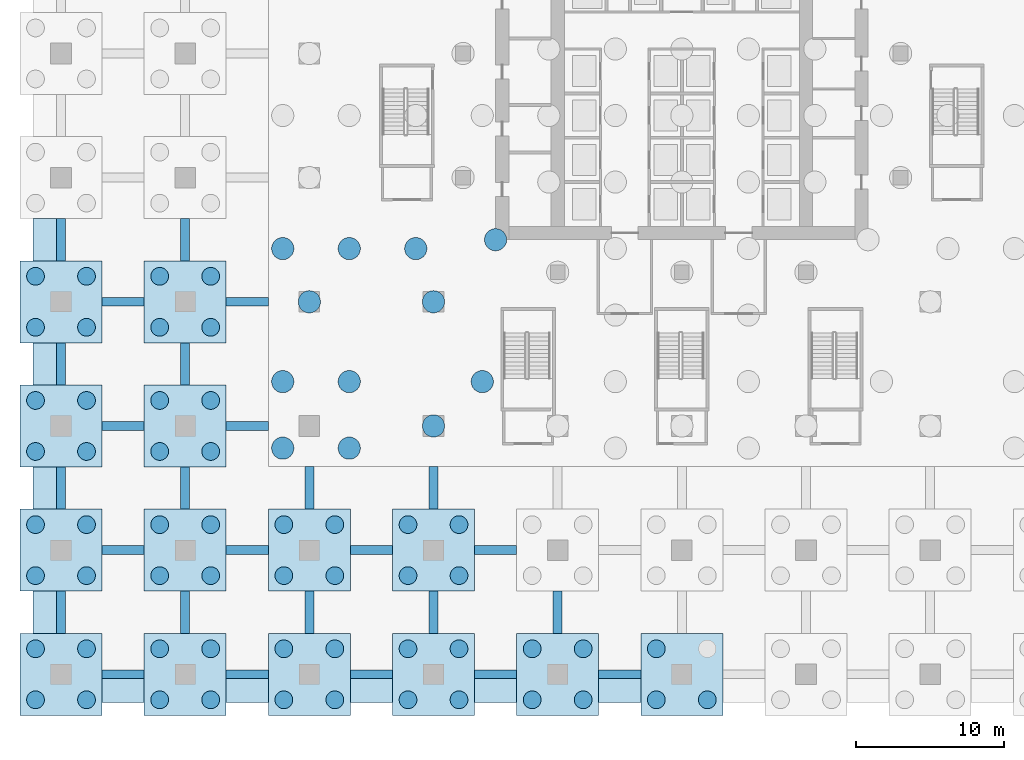
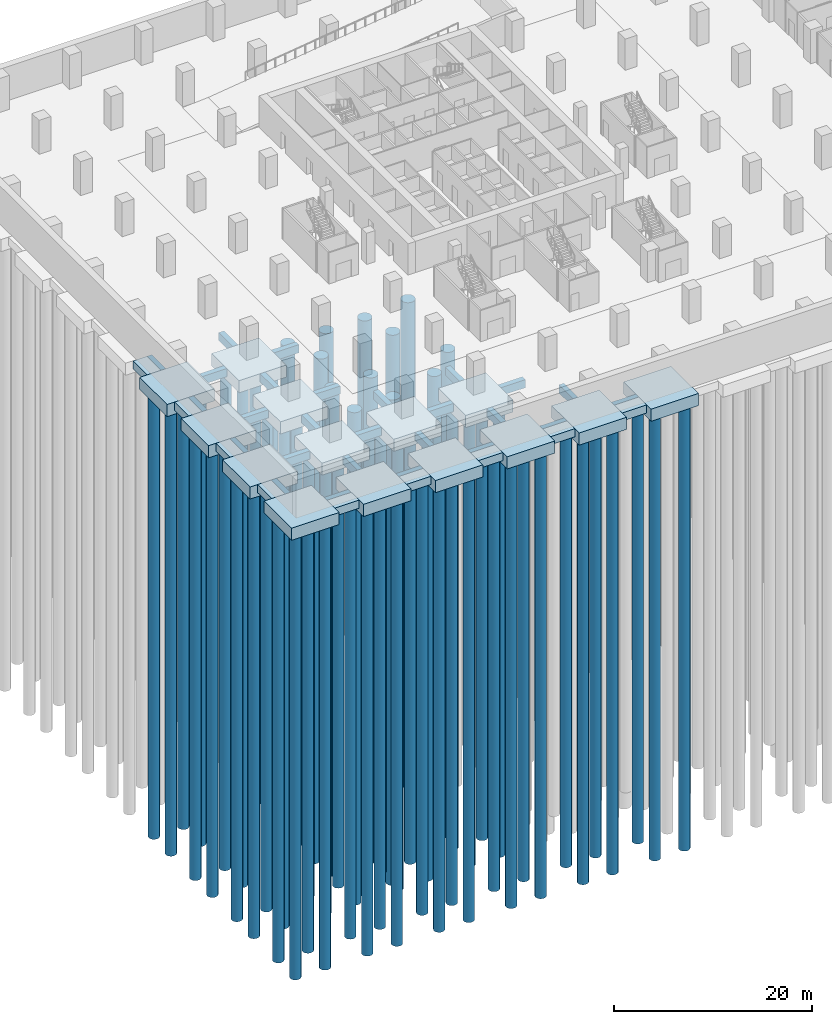
# One storey, part 1 of 22: 67 piles, 49 footings.
"""IFC4 building model written with IfcOpenShell, lengths in metres."""

from ifc_helpers import new_model, si_unit, direction, frame, origin, origin_2d, place, context, subcontext, project, spatial, polyline, circle, outline, extrude, material, layer, layer_set, type_object, element, save


model = new_model("IFC4")

# Units and contexts
model_context = context("Model", 3, precision=1e-05, world=origin(), true_north=direction((0.0, 1.0)))
body_context = subcontext(model_context, "Body", "Model", "MODEL_VIEW")
ifc_project = project(units=[si_unit("LENGTHUNIT", "METRE"), si_unit("AREAUNIT", "SQUARE_METRE"), si_unit("VOLUMEUNIT", "CUBIC_METRE"), si_unit("PLANEANGLEUNIT", "RADIAN"), si_unit("MASSUNIT", "GRAM", prefix="KILO")], contexts=[model_context])

# Site, building, storey
site_placement = place(None, origin())
site = spatial("IfcSite", under=ifc_project, at=site_placement, CompositionType="ELEMENT")
building_placement = place(site_placement, origin())
building = spatial("IfcBuilding", under=site, at=building_placement, Name="Vermilion Ogive Tower", CompositionType="ELEMENT")
storey_placement = place(building_placement, frame((0.0, 0.0, -8.39990234375)))
storey = spatial("IfcBuildingStorey", under=building, at=storey_placement, Name="B2", CompositionType="ELEMENT", Elevation=-8.39990234375)

# Piles
ifc_material_1 = material(Name="Concrete B45", Category="concrete")
pile_type_1 = type_object("IfcPileType", Name="Bored pile PC1 D1200", PredefinedType="BORED", material=ifc_material_1)
for number, where, z_axis, x_axis, name in (
    (1, (-43.72509765625, -39.52490234375, -1.900146484375), (0.0, 0.0, -1.0), (1.0, 0.0, 0.0), "Cap pile 000-1"),
    (2, (-40.27490234375, -39.52490234375, -1.900146484375), (0.0, 0.0, -1.0), (1.0, 0.0, 0.0), "Cap pile 000-2"),
    (3, (-43.72509765625, -36.074951171875, -1.900146484375), (0.0, 0.0, -1.0), (1.0, 0.0, 0.0), "Cap pile 000-3"),
    (4, (-40.27490234375, -36.074951171875, -1.900146484375), (0.0, 0.0, -1.0), (1.0, 0.0, 0.0), "Cap pile 000-4"),
    (5, (-43.72509765625, -31.125, -1.900146484375), (0.0, 0.0, -1.0), (1.0, 0.0, 0.0), "Cap pile 001-1"),
    (6, (-40.27490234375, -31.125, -1.900146484375), (0.0, 0.0, -1.0), (1.0, 0.0, 0.0), "Cap pile 001-2"),
    (7, (-43.72509765625, -27.675048828125, -1.900146484375), (0.0, 0.0, -1.0), (1.0, 0.0, 0.0), "Cap pile 001-3"),
    (8, (-40.27490234375, -27.675048828125, -1.900146484375), (0.0, 0.0, -1.0), (1.0, 0.0, 0.0), "Cap pile 001-4"),
    (9, (-43.72509765625, -22.72509765625, -1.900146484375), (0.0, 0.0, -1.0), (1.0, 0.0, 0.0), "Cap pile 002-1"),
    (10, (-40.27490234375, -22.72509765625, -1.900146484375), (0.0, 0.0, -1.0), (1.0, 0.0, 0.0), "Cap pile 002-2"),
    (11, (-43.72509765625, -19.27490234375, -1.900146484375), (0.0, 0.0, -1.0), (1.0, 0.0, 0.0), "Cap pile 002-3"),
    (12, (-40.27490234375, -19.27490234375, -1.900146484375), (0.0, 0.0, -1.0), (1.0, 0.0, 0.0), "Cap pile 002-4"),
    (13, (-43.72509765625, -14.324951171875, -1.900146484375), (0.0, 0.0, -1.0), (1.0, 0.0, 0.0), "Cap pile 003-1"),
    (14, (-40.27490234375, -14.324951171875, -1.900146484375), (0.0, 0.0, -1.0), (1.0, 0.0, 0.0), "Cap pile 003-2"),
    (15, (-43.72509765625, -10.875, -1.900146484375), (0.0, 0.0, -1.0), (1.0, 0.0, 0.0), "Cap pile 003-3"),
    (16, (-40.27490234375, -10.875, -1.900146484375), (0.0, 0.0, -1.0), (1.0, 0.0, 0.0), "Cap pile 003-4"),
    (17, (-35.324951171875, -39.52490234375, -1.900146484375), (0.0, 0.0, -1.0), (1.0, 0.0, 0.0), "Cap pile 010-1"),
    (18, (-31.875, -39.52490234375, -1.900146484375), (0.0, 0.0, -1.0), (1.0, 0.0, 0.0), "Cap pile 010-2"),
    (19, (-35.324951171875, -36.074951171875, -1.900146484375), (0.0, 0.0, -1.0), (1.0, 0.0, 0.0), "Cap pile 010-3"),
    (20, (-31.875, -36.074951171875, -1.900146484375), (0.0, 0.0, -1.0), (1.0, 0.0, 0.0), "Cap pile 010-4"),
    (21, (-35.324951171875, -31.125, -1.900146484375), (0.0, 0.0, -1.0), (1.0, 0.0, 0.0), "Cap pile 011-1"),
    (22, (-31.875, -31.125, -1.900146484375), (0.0, 0.0, -1.0), (1.0, 0.0, 0.0), "Cap pile 011-2"),
    (23, (-35.324951171875, -27.675048828125, -1.900146484375), (0.0, 0.0, -1.0), (1.0, 0.0, 0.0), "Cap pile 011-3"),
    (24, (-31.875, -27.675048828125, -1.900146484375), (0.0, 0.0, -1.0), (1.0, 0.0, 0.0), "Cap pile 011-4"),
    (25, (-35.324951171875, -22.72509765625, -1.900146484375), (0.0, 0.0, -1.0), (1.0, 0.0, 0.0), "Cap pile 012-1"),
    (26, (-31.875, -22.72509765625, -1.900146484375), (0.0, 0.0, -1.0), (1.0, 0.0, 0.0), "Cap pile 012-2"),
    (27, (-35.324951171875, -19.27490234375, -1.900146484375), (0.0, 0.0, -1.0), (1.0, 0.0, 0.0), "Cap pile 012-3"),
    (28, (-31.875, -19.27490234375, -1.900146484375), (0.0, 0.0, -1.0), (1.0, 0.0, 0.0), "Cap pile 012-4"),
    (29, (-35.324951171875, -14.324951171875, -1.900146484375), (0.0, 0.0, -1.0), (1.0, 0.0, 0.0), "Cap pile 013-1"),
    (30, (-31.875, -14.324951171875, -1.900146484375), (0.0, 0.0, -1.0), (1.0, 0.0, 0.0), "Cap pile 013-2"),
    (31, (-35.324951171875, -10.875, -1.900146484375), (0.0, 0.0, -1.0), (1.0, 0.0, 0.0), "Cap pile 013-3"),
    (32, (-31.875, -10.875, -1.900146484375), (0.0, 0.0, -1.0), (1.0, 0.0, 0.0), "Cap pile 013-4"),
    (33, (-26.925048828125, -39.52490234375, -1.900146484375), (0.0, 0.0, -1.0), (1.0, 0.0, 0.0), "Cap pile 020-1"),
    (34, (-23.47509765625, -39.52490234375, -1.900146484375), (0.0, 0.0, -1.0), (1.0, 0.0, 0.0), "Cap pile 020-2"),
    (35, (-26.925048828125, -36.074951171875, -1.900146484375), (0.0, 0.0, -1.0), (1.0, 0.0, 0.0), "Cap pile 020-3"),
    (36, (-23.47509765625, -36.074951171875, -1.900146484375), (0.0, 0.0, -1.0), (1.0, 0.0, 0.0), "Cap pile 020-4"),
    (37, (-26.925048828125, -31.125, -1.900146484375), (0.0, 0.0, -1.0), (1.0, 0.0, 0.0), "Cap pile 021-1"),
    (38, (-23.47509765625, -31.125, -1.900146484375), (0.0, 0.0, -1.0), (1.0, 0.0, 0.0), "Cap pile 021-2"),
    (39, (-26.925048828125, -27.675048828125, -1.900146484375), (0.0, 0.0, -1.0), (1.0, 0.0, 0.0), "Cap pile 021-3"),
    (40, (-23.47509765625, -27.675048828125, -1.900146484375), (0.0, 0.0, -1.0), (1.0, 0.0, 0.0), "Cap pile 021-4"),
    (41, (-18.52490234375, -39.52490234375, -1.900146484375), (0.0, 0.0, -1.0), (1.0, 0.0, 0.0), "Cap pile 024-1"),
    (42, (-15.074951171875, -39.52490234375, -1.900146484375), (0.0, 0.0, -1.0), (1.0, 0.0, 0.0), "Cap pile 024-2"),
    (43, (-18.52490234375, -36.074951171875, -1.900146484375), (0.0, 0.0, -1.0), (1.0, 0.0, 0.0), "Cap pile 024-3"),
    (44, (-15.074951171875, -36.074951171875, -1.900146484375), (0.0, 0.0, -1.0), (1.0, 0.0, 0.0), "Cap pile 024-4"),
    (45, (-18.52490234375, -31.125, -1.900146484375), (0.0, 0.0, -1.0), (1.0, 0.0, 0.0), "Cap pile 025-1"),
    (46, (-15.074951171875, -31.125, -1.900146484375), (0.0, 0.0, -1.0), (1.0, 0.0, 0.0), "Cap pile 025-2"),
    (47, (-18.52490234375, -27.675048828125, -1.900146484375), (0.0, 0.0, -1.0), (1.0, 0.0, 0.0), "Cap pile 025-3"),
    (48, (-15.074951171875, -27.675048828125, -1.900146484375), (0.0, 0.0, -1.0), (1.0, 0.0, 0.0), "Cap pile 025-4"),
    (49, (-10.125, -39.52490234375, -1.900146484375), (0.0, 0.0, -1.0), (1.0, 0.0, 0.0), "Cap pile 028-1"),
    (50, (-6.675048828125, -39.52490234375, -1.900146484375), (0.0, 0.0, -1.0), (1.0, 0.0, 0.0), "Cap pile 028-2"),
    (51, (-10.125, -36.074951171875, -1.900146484375), (0.0, 0.0, -1.0), (1.0, 0.0, 0.0), "Cap pile 028-3"),
    (52, (-6.675048828125, -36.074951171875, -1.900146484375), (0.0, 0.0, -1.0), (1.0, 0.0, 0.0), "Cap pile 028-4"),
    (53, (-1.72509765625, -39.52490234375, -1.900146484375), (0.0, 0.0, -1.0), (1.0, 0.0, 0.0), "Cap pile 032-1"),
    (54, (1.72509765625, -39.52490234375, -1.900146484375), (0.0, 0.0, -1.0), (1.0, 0.0, 0.0), "Cap pile 032-2"),
    (55, (-1.72509765625, -36.074951171875, -1.900146484375), (0.0, 0.0, -1.0), (1.0, 0.0, 0.0), "Cap pile 032-3"),
):
    element("IfcPile", number, at=place(storey_placement, frame(where, z_axis=z_axis, x_axis=x_axis)), inside=storey, type_object=pile_type_1, Name=name, PredefinedType="BORED", context=body_context, shape_type="SweptSolid", body=[
        extrude(circle(Radius=0.60009765625, at=origin_2d()), origin(), (0.0, 0.0, 1.0), 55.0),
    ])
ifc_material_2 = material(Name="Concrete B45", Category="concrete")
pile_type_2 = type_object("IfcPileType", Name="Bored pile PR1 D1500", PredefinedType="BORED", material=ifc_material_2)
for number, where, z_axis, x_axis, name in (
    (56, (-27.0, -22.5, -2.900146484375), (0.0, 0.0, -1.0), (1.0, 0.0, 0.0), "Raft pile 001"),
    (57, (-27.0, -18.0, -2.900146484375), (0.0, 0.0, -1.0), (1.0, 0.0, 0.0), "Raft pile 002"),
    (58, (-27.0, -9.0, -2.900146484375), (0.0, 0.0, -1.0), (1.0, 0.0, 0.0), "Raft pile 003"),
    (59, (-25.199951171875, -12.60009765625, -2.900146484375), (0.0, 0.0, -1.0), (1.0, 0.0, 0.0), "Raft pile 008"),
    (60, (-22.5, -22.5, -2.900146484375), (0.0, 0.0, -1.0), (1.0, 0.0, 0.0), "Raft pile 012"),
    (61, (-22.5, -18.0, -2.900146484375), (0.0, 0.0, -1.0), (1.0, 0.0, 0.0), "Raft pile 013"),
    (62, (-22.5, -9.0, -2.900146484375), (0.0, 0.0, -1.0), (1.0, 0.0, 0.0), "Raft pile 014"),
    (63, (-18.0, -9.0, -2.900146484375), (0.0, 0.0, -1.0), (1.0, 0.0, 0.0), "Raft pile 019"),
    (64, (-16.800048828125, -21.0, -2.900146484375), (0.0, 0.0, -1.0), (1.0, 0.0, 0.0), "Raft pile 022"),
    (65, (-16.800048828125, -12.60009765625, -2.900146484375), (0.0, 0.0, -1.0), (1.0, 0.0, 0.0), "Raft pile 023"),
    (66, (-13.5, -18.0, -2.900146484375), (0.0, 0.0, -1.0), (1.0, 0.0, 0.0), "Raft pile 028"),
    (67, (-12.60009765625, -8.39990234375, -2.900146484375), (0.0, 0.0, -1.0), (1.0, 0.0, 0.0), "Raft pile 032"),
):
    element("IfcPile", number, at=place(storey_placement, frame(where, z_axis=z_axis, x_axis=x_axis)), inside=storey, type_object=pile_type_2, Name=name, PredefinedType="BORED", context=body_context, shape_type="SweptSolid", body=[
        extrude(circle(Radius=0.75, at=origin_2d()), origin(), (0.0, 0.0, 1.0), 60.0),
    ])

# Footings
ifc_material_3 = material(Name="Concrete B50", Category="concrete")
footing_type_1 = type_object("IfcFootingType", Name="Ground beam GB1", PredefinedType="FOOTING_BEAM", material=ifc_material_3)
footing_1_placement = place(storey_placement, frame((0.0, 0.0, -1.5)))
element("IfcFooting", 68, at=footing_1_placement, inside=storey, type_object=footing_type_1, Name="Ground beam 001", PredefinedType="FOOTING_BEAM", context=body_context, shape_type="SweptSolid", body=[
    extrude(outline(polyline([(-36.375, -38.10009765625), (-36.375, -37.5), (-39.22509765625, -37.5), (-39.22509765625, -38.10009765625), (-36.375, -38.10009765625)])), origin(), (0.0, 0.0, 1.0), 1.0),
])
footing_2_placement = place(storey_placement, frame((0.0, 0.0, -1.5)))
element("IfcFooting", 69, at=footing_2_placement, inside=storey, type_object=footing_type_1, Name="Ground beam 002", PredefinedType="FOOTING_BEAM", context=body_context, shape_type="SweptSolid", body=[
    extrude(outline(polyline([(-41.699951171875, -35.02490234375), (-41.699951171875, -32.175048828125), (-42.300048828125, -32.175048828125), (-42.300048828125, -35.02490234375), (-41.699951171875, -35.02490234375)])), origin(), (0.0, 0.0, 1.0), 1.0),
])
footing_3_placement = place(storey_placement, frame((0.0, 0.0, -1.5)))
element("IfcFooting", 70, at=footing_3_placement, inside=storey, type_object=footing_type_1, Name="Ground beam 003", PredefinedType="FOOTING_BEAM", context=body_context, shape_type="SweptSolid", body=[
    extrude(outline(polyline([(-36.375, -29.699951171875), (-36.375, -29.10009765625), (-39.22509765625, -29.10009765625), (-39.22509765625, -29.699951171875), (-36.375, -29.699951171875)])), origin(), (0.0, 0.0, 1.0), 1.0),
])
footing_4_placement = place(storey_placement, frame((0.0, 0.0, -1.5)))
element("IfcFooting", 71, at=footing_4_placement, inside=storey, type_object=footing_type_1, Name="Ground beam 004", PredefinedType="FOOTING_BEAM", context=body_context, shape_type="SweptSolid", body=[
    extrude(outline(polyline([(-41.699951171875, -26.625), (-41.699951171875, -23.77490234375), (-42.300048828125, -23.77490234375), (-42.300048828125, -26.625), (-41.699951171875, -26.625)])), origin(), (0.0, 0.0, 1.0), 1.0),
])
footing_5_placement = place(storey_placement, frame((0.0, 0.0, -1.5)))
element("IfcFooting", 72, at=footing_5_placement, inside=storey, type_object=footing_type_1, Name="Ground beam 005", PredefinedType="FOOTING_BEAM", context=body_context, shape_type="SweptSolid", body=[
    extrude(outline(polyline([(-36.375, -21.300048828125), (-36.375, -20.699951171875), (-39.22509765625, -20.699951171875), (-39.22509765625, -21.300048828125), (-36.375, -21.300048828125)])), origin(), (0.0, 0.0, 1.0), 1.0),
])
footing_6_placement = place(storey_placement, frame((0.0, 0.0, -1.5)))
element("IfcFooting", 73, at=footing_6_placement, inside=storey, type_object=footing_type_1, Name="Ground beam 006", PredefinedType="FOOTING_BEAM", context=body_context, shape_type="SweptSolid", body=[
    extrude(outline(polyline([(-41.699951171875, -18.22509765625), (-41.699951171875, -15.375), (-42.300048828125, -15.375), (-42.300048828125, -18.22509765625), (-41.699951171875, -18.22509765625)])), origin(), (0.0, 0.0, 1.0), 1.0),
])
footing_7_placement = place(storey_placement, frame((0.0, 0.0, -1.5)))
element("IfcFooting", 74, at=footing_7_placement, inside=storey, type_object=footing_type_1, Name="Ground beam 007", PredefinedType="FOOTING_BEAM", context=body_context, shape_type="SweptSolid", body=[
    extrude(outline(polyline([(-36.375, -12.89990234375), (-36.375, -12.300048828125), (-39.22509765625, -12.300048828125), (-39.22509765625, -12.89990234375), (-36.375, -12.89990234375)])), origin(), (0.0, 0.0, 1.0), 1.0),
])
footing_8_placement = place(storey_placement, frame((0.0, 0.0, -1.5)))
element("IfcFooting", 75, at=footing_8_placement, inside=storey, type_object=footing_type_1, Name="Ground beam 008", PredefinedType="FOOTING_BEAM", context=body_context, shape_type="SweptSolid", body=[
    extrude(outline(polyline([(-41.699951171875, -9.824951171875), (-41.699951171875, -6.97509765625), (-42.300048828125, -6.97509765625), (-42.300048828125, -9.824951171875), (-41.699951171875, -9.824951171875)])), origin(), (0.0, 0.0, 1.0), 1.0),
])
footing_9_placement = place(storey_placement, frame((0.0, 0.0, -1.5)))
element("IfcFooting", 76, at=footing_9_placement, inside=storey, type_object=footing_type_1, Name="Ground beam 020", PredefinedType="FOOTING_BEAM", context=body_context, shape_type="SweptSolid", body=[
    extrude(outline(polyline([(-27.97509765625, -38.10009765625), (-27.97509765625, -37.5), (-30.824951171875, -37.5), (-30.824951171875, -38.10009765625), (-27.97509765625, -38.10009765625)])), origin(), (0.0, 0.0, 1.0), 1.0),
])
footing_10_placement = place(storey_placement, frame((0.0, 0.0, -1.5)))
element("IfcFooting", 77, at=footing_10_placement, inside=storey, type_object=footing_type_1, Name="Ground beam 021", PredefinedType="FOOTING_BEAM", context=body_context, shape_type="SweptSolid", body=[
    extrude(outline(polyline([(-33.300048828125, -35.02490234375), (-33.300048828125, -32.175048828125), (-33.89990234375, -32.175048828125), (-33.89990234375, -35.02490234375), (-33.300048828125, -35.02490234375)])), origin(), (0.0, 0.0, 1.0), 1.0),
])
footing_11_placement = place(storey_placement, frame((0.0, 0.0, -1.5)))
element("IfcFooting", 78, at=footing_11_placement, inside=storey, type_object=footing_type_1, Name="Ground beam 022", PredefinedType="FOOTING_BEAM", context=body_context, shape_type="SweptSolid", body=[
    extrude(outline(polyline([(-27.97509765625, -29.699951171875), (-27.97509765625, -29.10009765625), (-30.824951171875, -29.10009765625), (-30.824951171875, -29.699951171875), (-27.97509765625, -29.699951171875)])), origin(), (0.0, 0.0, 1.0), 1.0),
])
footing_12_placement = place(storey_placement, frame((0.0, 0.0, -1.5)))
element("IfcFooting", 79, at=footing_12_placement, inside=storey, type_object=footing_type_1, Name="Ground beam 023", PredefinedType="FOOTING_BEAM", context=body_context, shape_type="SweptSolid", body=[
    extrude(outline(polyline([(-33.300048828125, -26.625), (-33.300048828125, -23.77490234375), (-33.89990234375, -23.77490234375), (-33.89990234375, -26.625), (-33.300048828125, -26.625)])), origin(), (0.0, 0.0, 1.0), 1.0),
])
footing_13_placement = place(storey_placement, frame((0.0, 0.0, -1.5)))
element("IfcFooting", 80, at=footing_13_placement, inside=storey, type_object=footing_type_1, Name="Ground beam 024", PredefinedType="FOOTING_BEAM", context=body_context, shape_type="SweptSolid", body=[
    extrude(outline(polyline([(-27.949951171875, -21.300048828125), (-27.949951171875, -20.699951171875), (-30.824951171875, -20.699951171875), (-30.824951171875, -21.300048828125), (-27.949951171875, -21.300048828125)])), origin(), (0.0, 0.0, 1.0), 1.0),
])
footing_14_placement = place(storey_placement, frame((0.0, 0.0, -1.5)))
element("IfcFooting", 81, at=footing_14_placement, inside=storey, type_object=footing_type_1, Name="Ground beam 025", PredefinedType="FOOTING_BEAM", context=body_context, shape_type="SweptSolid", body=[
    extrude(outline(polyline([(-33.300048828125, -18.22509765625), (-33.300048828125, -15.375), (-33.89990234375, -15.375), (-33.89990234375, -18.22509765625), (-33.300048828125, -18.22509765625)])), origin(), (0.0, 0.0, 1.0), 1.0),
])
footing_15_placement = place(storey_placement, frame((0.0, 0.0, -1.5)))
element("IfcFooting", 82, at=footing_15_placement, inside=storey, type_object=footing_type_1, Name="Ground beam 026", PredefinedType="FOOTING_BEAM", context=body_context, shape_type="SweptSolid", body=[
    extrude(outline(polyline([(-27.949951171875, -12.89990234375), (-27.949951171875, -12.300048828125), (-30.824951171875, -12.300048828125), (-30.824951171875, -12.89990234375), (-27.949951171875, -12.89990234375)])), origin(), (0.0, 0.0, 1.0), 1.0),
])
footing_16_placement = place(storey_placement, frame((0.0, 0.0, -1.5)))
element("IfcFooting", 83, at=footing_16_placement, inside=storey, type_object=footing_type_1, Name="Ground beam 027", PredefinedType="FOOTING_BEAM", context=body_context, shape_type="SweptSolid", body=[
    extrude(outline(polyline([(-33.300048828125, -9.824951171875), (-33.300048828125, -6.97509765625), (-33.89990234375, -6.97509765625), (-33.89990234375, -9.824951171875), (-33.300048828125, -9.824951171875)])), origin(), (0.0, 0.0, 1.0), 1.0),
])
footing_17_placement = place(storey_placement, frame((0.0, 0.0, -1.5)))
element("IfcFooting", 84, at=footing_17_placement, inside=storey, type_object=footing_type_1, Name="Ground beam 039", PredefinedType="FOOTING_BEAM", context=body_context, shape_type="SweptSolid", body=[
    extrude(outline(polyline([(-19.574951171875, -38.10009765625), (-19.574951171875, -37.5), (-22.425048828125, -37.5), (-22.425048828125, -38.10009765625), (-19.574951171875, -38.10009765625)])), origin(), (0.0, 0.0, 1.0), 1.0),
])
footing_18_placement = place(storey_placement, frame((0.0, 0.0, -1.5)))
element("IfcFooting", 85, at=footing_18_placement, inside=storey, type_object=footing_type_1, Name="Ground beam 040", PredefinedType="FOOTING_BEAM", context=body_context, shape_type="SweptSolid", body=[
    extrude(outline(polyline([(-24.89990234375, -35.02490234375), (-24.89990234375, -32.175048828125), (-25.5, -32.175048828125), (-25.5, -35.02490234375), (-24.89990234375, -35.02490234375)])), origin(), (0.0, 0.0, 1.0), 1.0),
])
footing_19_placement = place(storey_placement, frame((0.0, 0.0, -1.5)))
element("IfcFooting", 86, at=footing_19_placement, inside=storey, type_object=footing_type_1, Name="Ground beam 041", PredefinedType="FOOTING_BEAM", context=body_context, shape_type="SweptSolid", body=[
    extrude(outline(polyline([(-19.574951171875, -29.699951171875), (-19.574951171875, -29.10009765625), (-22.425048828125, -29.10009765625), (-22.425048828125, -29.699951171875), (-19.574951171875, -29.699951171875)])), origin(), (0.0, 0.0, 1.0), 1.0),
])
footing_20_placement = place(storey_placement, frame((0.0, 0.0, -1.5)))
element("IfcFooting", 87, at=footing_20_placement, inside=storey, type_object=footing_type_1, Name="Ground beam 042", PredefinedType="FOOTING_BEAM", context=body_context, shape_type="SweptSolid", body=[
    extrude(outline(polyline([(-24.89990234375, -26.625), (-24.89990234375, -23.75), (-25.5, -23.75), (-25.5, -26.625), (-24.89990234375, -26.625)])), origin(), (0.0, 0.0, 1.0), 1.0),
])
footing_21_placement = place(storey_placement, frame((0.0, 0.0, -1.5)))
element("IfcFooting", 88, at=footing_21_placement, inside=storey, type_object=footing_type_1, Name="Ground beam 046", PredefinedType="FOOTING_BEAM", context=body_context, shape_type="SweptSolid", body=[
    extrude(outline(polyline([(-11.175048828125, -38.10009765625), (-11.175048828125, -37.5), (-14.02490234375, -37.5), (-14.02490234375, -38.10009765625), (-11.175048828125, -38.10009765625)])), origin(), (0.0, 0.0, 1.0), 1.0),
])
footing_22_placement = place(storey_placement, frame((0.0, 0.0, -1.5)))
element("IfcFooting", 89, at=footing_22_placement, inside=storey, type_object=footing_type_1, Name="Ground beam 047", PredefinedType="FOOTING_BEAM", context=body_context, shape_type="SweptSolid", body=[
    extrude(outline(polyline([(-16.5, -35.02490234375), (-16.5, -32.175048828125), (-17.10009765625, -32.175048828125), (-17.10009765625, -35.02490234375), (-16.5, -35.02490234375)])), origin(), (0.0, 0.0, 1.0), 1.0),
])
footing_23_placement = place(storey_placement, frame((0.0, 0.0, -1.5)))
element("IfcFooting", 90, at=footing_23_placement, inside=storey, type_object=footing_type_1, Name="Ground beam 048", PredefinedType="FOOTING_BEAM", context=body_context, shape_type="SweptSolid", body=[
    extrude(outline(polyline([(-11.175048828125, -29.699951171875), (-11.175048828125, -29.10009765625), (-14.02490234375, -29.10009765625), (-14.02490234375, -29.699951171875), (-11.175048828125, -29.699951171875)])), origin(), (0.0, 0.0, 1.0), 1.0),
])
footing_24_placement = place(storey_placement, frame((0.0, 0.0, -1.5)))
element("IfcFooting", 91, at=footing_24_placement, inside=storey, type_object=footing_type_1, Name="Ground beam 049", PredefinedType="FOOTING_BEAM", context=body_context, shape_type="SweptSolid", body=[
    extrude(outline(polyline([(-16.5, -26.625), (-16.5, -23.75), (-17.10009765625, -23.75), (-17.10009765625, -26.625), (-16.5, -26.625)])), origin(), (0.0, 0.0, 1.0), 1.0),
])
footing_25_placement = place(storey_placement, frame((0.0, 0.0, -1.5)))
element("IfcFooting", 92, at=footing_25_placement, inside=storey, type_object=footing_type_1, Name="Ground beam 053", PredefinedType="FOOTING_BEAM", context=body_context, shape_type="SweptSolid", body=[
    extrude(outline(polyline([(-2.77490234375, -38.10009765625), (-2.77490234375, -37.5), (-5.625, -37.5), (-5.625, -38.10009765625), (-2.77490234375, -38.10009765625)])), origin(), (0.0, 0.0, 1.0), 1.0),
])
footing_26_placement = place(storey_placement, frame((0.0, 0.0, -1.5)))
element("IfcFooting", 93, at=footing_26_placement, inside=storey, type_object=footing_type_1, Name="Ground beam 054", PredefinedType="FOOTING_BEAM", context=body_context, shape_type="SweptSolid", body=[
    extrude(outline(polyline([(-8.10009765625, -35.02490234375), (-8.10009765625, -32.175048828125), (-8.699951171875, -32.175048828125), (-8.699951171875, -35.02490234375), (-8.10009765625, -35.02490234375)])), origin(), (0.0, 0.0, 1.0), 1.0),
])
ifc_material_4 = material(Name="Concrete B50", Category="concrete")
ifc_layer_1 = layer(ifc_material_4, 1.5)
ifc_layer_set_1 = layer_set([ifc_layer_1], Name="Pile cap PC1")
footing_type_2 = type_object("IfcFootingType", Name="Pile cap PC1", PredefinedType="PILE_CAP", material=ifc_layer_set_1)
footing_27_placement = place(storey_placement, frame((0.0, 0.0, -2.0)))
element("IfcFooting", 94, at=footing_27_placement, inside=storey, type_object=footing_type_2, Name="Pile cap 000", PredefinedType="PILE_CAP", context=body_context, shape_type="SweptSolid", body=[
    extrude(outline(polyline([(-44.77490234375, -40.574951171875), (-39.22509765625, -40.574951171875), (-39.22509765625, -35.02490234375), (-44.77490234375, -35.02490234375), (-44.77490234375, -40.574951171875)])), origin(), (0.0, 0.0, 1.0), 1.5),
])
footing_28_placement = place(storey_placement, frame((0.0, 0.0, -2.0)))
element("IfcFooting", 95, at=footing_28_placement, inside=storey, type_object=footing_type_2, Name="Pile cap 001", PredefinedType="PILE_CAP", context=body_context, shape_type="SweptSolid", body=[
    extrude(outline(polyline([(-44.77490234375, -32.175048828125), (-39.22509765625, -32.175048828125), (-39.22509765625, -26.625), (-44.77490234375, -26.625), (-44.77490234375, -32.175048828125)])), origin(), (0.0, 0.0, 1.0), 1.5),
])
footing_29_placement = place(storey_placement, frame((0.0, 0.0, -2.0)))
element("IfcFooting", 96, at=footing_29_placement, inside=storey, type_object=footing_type_2, Name="Pile cap 002", PredefinedType="PILE_CAP", context=body_context, shape_type="SweptSolid", body=[
    extrude(outline(polyline([(-44.77490234375, -23.77490234375), (-39.22509765625, -23.77490234375), (-39.22509765625, -18.22509765625), (-44.77490234375, -18.22509765625), (-44.77490234375, -23.77490234375)])), origin(), (0.0, 0.0, 1.0), 1.5),
])
footing_30_placement = place(storey_placement, frame((0.0, 0.0, -2.0)))
element("IfcFooting", 97, at=footing_30_placement, inside=storey, type_object=footing_type_2, Name="Pile cap 003", PredefinedType="PILE_CAP", context=body_context, shape_type="SweptSolid", body=[
    extrude(outline(polyline([(-44.77490234375, -15.375), (-39.22509765625, -15.375), (-39.22509765625, -9.824951171875), (-44.77490234375, -9.824951171875), (-44.77490234375, -15.375)])), origin(), (0.0, 0.0, 1.0), 1.5),
])
footing_31_placement = place(storey_placement, frame((0.0, 0.0, -2.0)))
element("IfcFooting", 98, at=footing_31_placement, inside=storey, type_object=footing_type_2, Name="Pile cap 010", PredefinedType="PILE_CAP", context=body_context, shape_type="SweptSolid", body=[
    extrude(outline(polyline([(-36.375, -40.574951171875), (-30.824951171875, -40.574951171875), (-30.824951171875, -35.02490234375), (-36.375, -35.02490234375), (-36.375, -40.574951171875)])), origin(), (0.0, 0.0, 1.0), 1.5),
])
footing_32_placement = place(storey_placement, frame((0.0, 0.0, -2.0)))
element("IfcFooting", 99, at=footing_32_placement, inside=storey, type_object=footing_type_2, Name="Pile cap 011", PredefinedType="PILE_CAP", context=body_context, shape_type="SweptSolid", body=[
    extrude(outline(polyline([(-36.375, -32.175048828125), (-30.824951171875, -32.175048828125), (-30.824951171875, -26.625), (-36.375, -26.625), (-36.375, -32.175048828125)])), origin(), (0.0, 0.0, 1.0), 1.5),
])
footing_33_placement = place(storey_placement, frame((0.0, 0.0, -2.0)))
element("IfcFooting", 100, at=footing_33_placement, inside=storey, type_object=footing_type_2, Name="Pile cap 012", PredefinedType="PILE_CAP", context=body_context, shape_type="SweptSolid", body=[
    extrude(outline(polyline([(-36.375, -23.77490234375), (-30.824951171875, -23.77490234375), (-30.824951171875, -18.22509765625), (-36.375, -18.22509765625), (-36.375, -23.77490234375)])), origin(), (0.0, 0.0, 1.0), 1.5),
])
footing_34_placement = place(storey_placement, frame((0.0, 0.0, -2.0)))
element("IfcFooting", 101, at=footing_34_placement, inside=storey, type_object=footing_type_2, Name="Pile cap 013", PredefinedType="PILE_CAP", context=body_context, shape_type="SweptSolid", body=[
    extrude(outline(polyline([(-36.375, -15.375), (-30.824951171875, -15.375), (-30.824951171875, -9.824951171875), (-36.375, -9.824951171875), (-36.375, -15.375)])), origin(), (0.0, 0.0, 1.0), 1.5),
])
footing_35_placement = place(storey_placement, frame((0.0, 0.0, -2.0)))
element("IfcFooting", 102, at=footing_35_placement, inside=storey, type_object=footing_type_2, Name="Pile cap 020", PredefinedType="PILE_CAP", context=body_context, shape_type="SweptSolid", body=[
    extrude(outline(polyline([(-27.97509765625, -40.574951171875), (-22.425048828125, -40.574951171875), (-22.425048828125, -35.02490234375), (-27.97509765625, -35.02490234375), (-27.97509765625, -40.574951171875)])), origin(), (0.0, 0.0, 1.0), 1.5),
])
footing_36_placement = place(storey_placement, frame((0.0, 0.0, -2.0)))
element("IfcFooting", 103, at=footing_36_placement, inside=storey, type_object=footing_type_2, Name="Pile cap 021", PredefinedType="PILE_CAP", context=body_context, shape_type="SweptSolid", body=[
    extrude(outline(polyline([(-27.97509765625, -32.175048828125), (-22.425048828125, -32.175048828125), (-22.425048828125, -26.625), (-27.97509765625, -26.625), (-27.97509765625, -32.175048828125)])), origin(), (0.0, 0.0, 1.0), 1.5),
])
footing_37_placement = place(storey_placement, frame((0.0, 0.0, -2.0)))
element("IfcFooting", 104, at=footing_37_placement, inside=storey, type_object=footing_type_2, Name="Pile cap 024", PredefinedType="PILE_CAP", context=body_context, shape_type="SweptSolid", body=[
    extrude(outline(polyline([(-19.574951171875, -40.574951171875), (-14.02490234375, -40.574951171875), (-14.02490234375, -35.02490234375), (-19.574951171875, -35.02490234375), (-19.574951171875, -40.574951171875)])), origin(), (0.0, 0.0, 1.0), 1.5),
])
footing_38_placement = place(storey_placement, frame((0.0, 0.0, -2.0)))
element("IfcFooting", 105, at=footing_38_placement, inside=storey, type_object=footing_type_2, Name="Pile cap 025", PredefinedType="PILE_CAP", context=body_context, shape_type="SweptSolid", body=[
    extrude(outline(polyline([(-19.574951171875, -32.175048828125), (-14.02490234375, -32.175048828125), (-14.02490234375, -26.625), (-19.574951171875, -26.625), (-19.574951171875, -32.175048828125)])), origin(), (0.0, 0.0, 1.0), 1.5),
])
footing_39_placement = place(storey_placement, frame((0.0, 0.0, -2.0)))
element("IfcFooting", 106, at=footing_39_placement, inside=storey, type_object=footing_type_2, Name="Pile cap 028", PredefinedType="PILE_CAP", context=body_context, shape_type="SweptSolid", body=[
    extrude(outline(polyline([(-11.175048828125, -40.574951171875), (-5.625, -40.574951171875), (-5.625, -35.02490234375), (-11.175048828125, -35.02490234375), (-11.175048828125, -40.574951171875)])), origin(), (0.0, 0.0, 1.0), 1.5),
])
footing_40_placement = place(storey_placement, frame((0.0, 0.0, -2.0)))
element("IfcFooting", 107, at=footing_40_placement, inside=storey, type_object=footing_type_2, Name="Pile cap 032", PredefinedType="PILE_CAP", context=body_context, shape_type="SweptSolid", body=[
    extrude(outline(polyline([(-2.77490234375, -40.574951171875), (2.77490234375, -40.574951171875), (2.77490234375, -35.02490234375), (-2.77490234375, -35.02490234375), (-2.77490234375, -40.574951171875)])), origin(), (0.0, 0.0, 1.0), 1.5),
])
ifc_material_5 = material(Name="Concrete B50", Category="concrete")
ifc_layer_2 = layer(ifc_material_5, 1.0)
ifc_layer_set_2 = layer_set([ifc_layer_2], Name="Wall footing WF1")
footing_type_3 = type_object("IfcFootingType", Name="Wall footing WF1", PredefinedType="STRIP_FOOTING", material=ifc_layer_set_2)
footing_41_placement = place(storey_placement, frame((0.0, 0.0, -1.5)))
element("IfcFooting", 108, at=footing_41_placement, inside=storey, type_object=footing_type_3, Name="Wall footing 001", PredefinedType="STRIP_FOOTING", context=body_context, shape_type="SweptSolid", body=[
    extrude(outline(polyline([(-42.300048828125, -32.175048828125), (-43.89990234375, -32.175048828125), (-43.89990234375, -35.02490234375), (-42.300048828125, -35.02490234375), (-42.300048828125, -32.175048828125)])), origin(), (0.0, 0.0, 1.0), 1.0),
])
footing_42_placement = place(storey_placement, frame((0.0, 0.0, -1.5)))
element("IfcFooting", 109, at=footing_42_placement, inside=storey, type_object=footing_type_3, Name="Wall footing 002", PredefinedType="STRIP_FOOTING", context=body_context, shape_type="SweptSolid", body=[
    extrude(outline(polyline([(-42.300048828125, -23.77490234375), (-43.89990234375, -23.77490234375), (-43.89990234375, -26.625), (-42.300048828125, -26.625), (-42.300048828125, -23.77490234375)])), origin(), (0.0, 0.0, 1.0), 1.0),
])
footing_43_placement = place(storey_placement, frame((0.0, 0.0, -1.5)))
element("IfcFooting", 110, at=footing_43_placement, inside=storey, type_object=footing_type_3, Name="Wall footing 003", PredefinedType="STRIP_FOOTING", context=body_context, shape_type="SweptSolid", body=[
    extrude(outline(polyline([(-42.300048828125, -15.375), (-43.89990234375, -15.375), (-43.89990234375, -18.22509765625), (-42.300048828125, -18.22509765625), (-42.300048828125, -15.375)])), origin(), (0.0, 0.0, 1.0), 1.0),
])
footing_44_placement = place(storey_placement, frame((0.0, 0.0, -1.5)))
element("IfcFooting", 111, at=footing_44_placement, inside=storey, type_object=footing_type_3, Name="Wall footing 004", PredefinedType="STRIP_FOOTING", context=body_context, shape_type="SweptSolid", body=[
    extrude(outline(polyline([(-42.300048828125, -6.97509765625), (-43.89990234375, -6.97509765625), (-43.89990234375, -9.824951171875), (-42.300048828125, -9.824951171875), (-42.300048828125, -6.97509765625)])), origin(), (0.0, 0.0, 1.0), 1.0),
])
footing_45_placement = place(storey_placement, frame((0.0, 0.0, -1.5)))
element("IfcFooting", 112, at=footing_45_placement, inside=storey, type_object=footing_type_3, Name="Wall footing 038", PredefinedType="STRIP_FOOTING", context=body_context, shape_type="SweptSolid", body=[
    extrude(outline(polyline([(-5.625, -38.10009765625), (-5.625, -39.699951171875), (-2.77490234375, -39.699951171875), (-2.77490234375, -38.10009765625), (-5.625, -38.10009765625)])), origin(), (0.0, 0.0, 1.0), 1.0),
])
footing_46_placement = place(storey_placement, frame((0.0, 0.0, -1.5)))
element("IfcFooting", 113, at=footing_46_placement, inside=storey, type_object=footing_type_3, Name="Wall footing 039", PredefinedType="STRIP_FOOTING", context=body_context, shape_type="SweptSolid", body=[
    extrude(outline(polyline([(-14.02490234375, -38.10009765625), (-14.02490234375, -39.699951171875), (-11.175048828125, -39.699951171875), (-11.175048828125, -38.10009765625), (-14.02490234375, -38.10009765625)])), origin(), (0.0, 0.0, 1.0), 1.0),
])
footing_47_placement = place(storey_placement, frame((0.0, 0.0, -1.5)))
element("IfcFooting", 114, at=footing_47_placement, inside=storey, type_object=footing_type_3, Name="Wall footing 040", PredefinedType="STRIP_FOOTING", context=body_context, shape_type="SweptSolid", body=[
    extrude(outline(polyline([(-22.425048828125, -38.10009765625), (-22.425048828125, -39.699951171875), (-19.574951171875, -39.699951171875), (-19.574951171875, -38.10009765625), (-22.425048828125, -38.10009765625)])), origin(), (0.0, 0.0, 1.0), 1.0),
])
footing_48_placement = place(storey_placement, frame((0.0, 0.0, -1.5)))
element("IfcFooting", 115, at=footing_48_placement, inside=storey, type_object=footing_type_3, Name="Wall footing 041", PredefinedType="STRIP_FOOTING", context=body_context, shape_type="SweptSolid", body=[
    extrude(outline(polyline([(-30.824951171875, -38.10009765625), (-30.824951171875, -39.699951171875), (-27.97509765625, -39.699951171875), (-27.97509765625, -38.10009765625), (-30.824951171875, -38.10009765625)])), origin(), (0.0, 0.0, 1.0), 1.0),
])
footing_49_placement = place(storey_placement, frame((0.0, 0.0, -1.5)))
element("IfcFooting", 116, at=footing_49_placement, inside=storey, type_object=footing_type_3, Name="Wall footing 042", PredefinedType="STRIP_FOOTING", context=body_context, shape_type="SweptSolid", body=[
    extrude(outline(polyline([(-39.22509765625, -38.10009765625), (-39.22509765625, -39.699951171875), (-36.375, -39.699951171875), (-36.375, -38.10009765625), (-39.22509765625, -38.10009765625)])), origin(), (0.0, 0.0, 1.0), 1.0),
])

save(model, "model.ifc")
